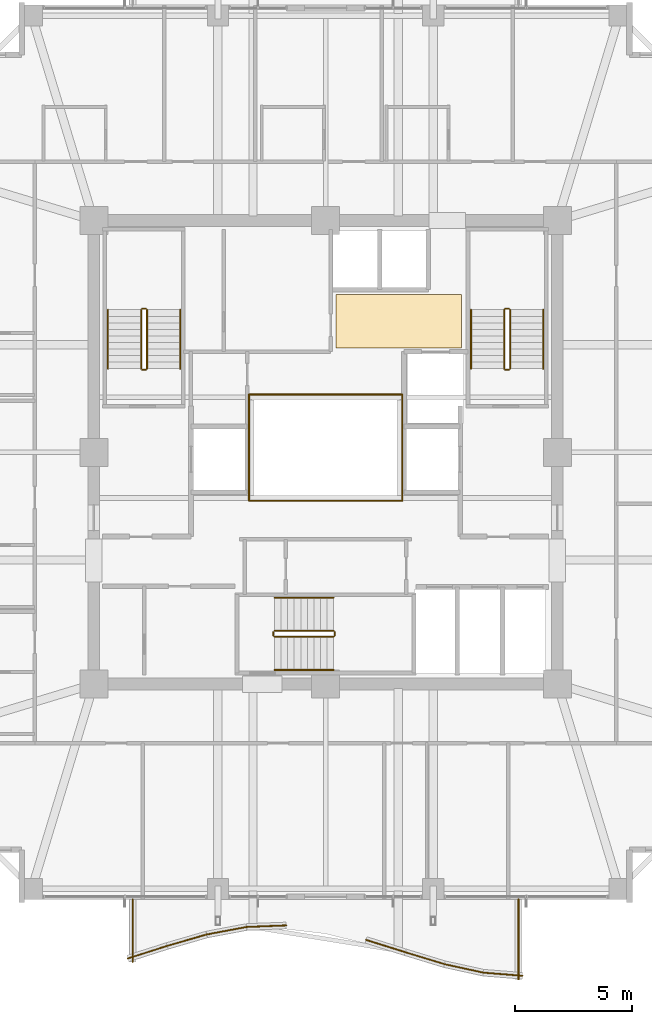
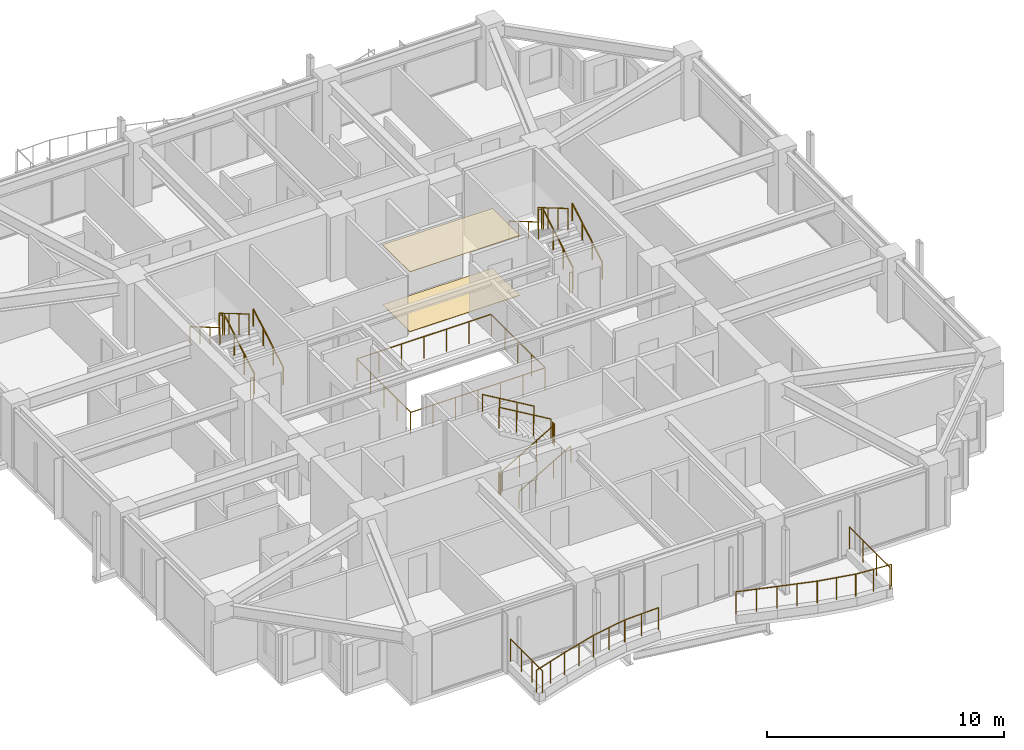
# One storey, part 31 of 32: 32 railings, 2 coverings.
"""IFC4 building model written with IfcOpenShell, lengths in metres."""

from ifc_helpers import new_model, si_unit, direction, frame, origin, origin_2d, place, context, subcontext, project, spatial, polyline, circle, outline, extrude, material, layer, layer_set, type_object, element, save


model = new_model("IFC4")

# Units and contexts
model_context = context("Model", 3, precision=1e-05, world=origin(), true_north=direction((0.0, 1.0)))
body_context = subcontext(model_context, "Body", "Model", "MODEL_VIEW")
ifc_project = project(units=[si_unit("LENGTHUNIT", "METRE"), si_unit("AREAUNIT", "SQUARE_METRE"), si_unit("VOLUMEUNIT", "CUBIC_METRE"), si_unit("PLANEANGLEUNIT", "RADIAN"), si_unit("MASSUNIT", "GRAM", prefix="KILO")], contexts=[model_context])

# Site, building, storey
site_placement = place(None, origin())
site = spatial("IfcSite", under=ifc_project, at=site_placement, CompositionType="ELEMENT")
building_placement = place(site_placement, origin())
building = spatial("IfcBuilding", under=site, at=building_placement, Name="Kolvaren Belvedere", CompositionType="ELEMENT")
storey_placement = place(building_placement, frame((0.0, 0.0, 160.199951171875)))
storey = spatial("IfcBuildingStorey", under=building, at=storey_placement, Name="L46", CompositionType="ELEMENT", Elevation=160.199951171875)

# Coverings
ifc_material_1 = material(Name="Acoustic perforated gypsum board", Category="gypsum")
ifc_layer_1 = layer(ifc_material_1, 0.02490234375)
ifc_layer_set_1 = layer_set([ifc_layer_1], Name="Acoustic perforated gypsum board")
covering_type_1 = type_object("IfcCoveringType", Name="COV-CEIL-GYP", PredefinedType="CEILING", material=ifc_layer_set_1)
covering_1_placement = place(storey_placement, frame((0.0, 0.0, 3.074951171875)))
element("IfcCovering", 1, at=covering_1_placement, inside=storey, type_object=covering_type_1, Name="L46 Lift Lobby Acoustic Baffle Ceiling", PredefinedType="CEILING", context=body_context, shape_type="SweptSolid", body=[
    extrude(outline(polyline([(0.449951171875, 4.449951171875), (5.800048828125, 4.449951171875), (5.800048828125, 6.75), (0.449951171875, 6.75), (0.449951171875, 4.449951171875)])), origin(), (0.0, 0.0, 1.0), 0.025146484375),
])
ifc_material_2 = material(Name="Engineered Pacific white oak", Category="timber")
ifc_layer_2 = layer(ifc_material_2, 0.02001953125)
ifc_layer_set_2 = layer_set([ifc_layer_2], Name="Engineered Pacific white oak")
covering_type_2 = type_object("IfcCoveringType", Name="COV-FLR-OAK", PredefinedType="FLOORING", material=ifc_layer_set_2)
covering_2_placement = place(storey_placement, origin())
element("IfcCovering", 2, at=covering_2_placement, inside=storey, type_object=covering_type_2, Name="L46 Lift Lobby Finish Flooring", PredefinedType="FLOORING", context=body_context, shape_type="SweptSolid", body=[
    extrude(outline(polyline([(0.449951171875, 4.449951171875), (5.800048828125, 4.449951171875), (5.800048828125, 6.75), (0.449951171875, 6.75), (0.449951171875, 4.449951171875)])), origin(), (0.0, 0.0, 1.0), 0.02001953125),
])

# Railings
ifc_material_3 = material(Name="Laminated glass & stainless-steel cap rail", Category="steel")
railing_type_1 = type_object("IfcRailingType", Name="RL-ATR-1150", PredefinedType="BALUSTRADE", material=ifc_material_3)
for number, where, name in (
    (3, (-3.27001953125, 2.469970703125, 0.0), "L46 Atrium North Glass Balustrade"),
    (4, (-3.27001953125, -2.070068359375, 0.0), "L46 Atrium South Glass Balustrade"),
):
    element("IfcRailing", number, at=place(storey_placement, frame(where)), inside=storey, type_object=railing_type_1, Name=name, PredefinedType="BALUSTRADE", context=body_context, shape_type="SweptSolid", body=[
        extrude(circle(Radius=0.02392578125, at=origin_2d()), frame((0.0, 0.0, 1.1259765625), z_axis=(1.0, 0.0, 0.0), x_axis=(0.0, 1.0, 0.0)), (0.0, 0.0, 1.0), 6.5400390625),
        extrude(circle(Radius=0.02099609375, at=origin_2d()), origin(), (0.0, 0.0, 1.0), 1.101806640625),
        extrude(circle(Radius=0.02099609375, at=origin_2d()), frame((1.090087890625, 0.0, 0.0)), (0.0, 0.0, 1.0), 1.101806640625),
        extrude(circle(Radius=0.02099609375, at=origin_2d()), frame((2.179931640625, 0.0, 0.0)), (0.0, 0.0, 1.0), 1.101806640625),
        extrude(circle(Radius=0.02099609375, at=origin_2d()), frame((3.27001953125, 0.0, 0.0)), (0.0, 0.0, 1.0), 1.101806640625),
        extrude(circle(Radius=0.02099609375, at=origin_2d()), frame((4.360107421875, 0.0, 0.0)), (0.0, 0.0, 1.0), 1.101806640625),
        extrude(circle(Radius=0.02099609375, at=origin_2d()), frame((5.449951171875, 0.0, 0.0)), (0.0, 0.0, 1.0), 1.101806640625),
        extrude(circle(Radius=0.02099609375, at=origin_2d()), frame((6.5400390625, 0.0, 0.0)), (0.0, 0.0, 1.0), 1.101806640625),
    ])
for number, where, name in (
    (5, (-3.27001953125, -2.070068359375, 0.0), "L46 Atrium West Glass Balustrade"),
    (6, (3.27001953125, -2.070068359375, 0.0), "L46 Atrium East Glass Balustrade"),
):
    element("IfcRailing", number, at=place(storey_placement, frame(where)), inside=storey, type_object=railing_type_1, Name=name, PredefinedType="BALUSTRADE", context=body_context, shape_type="SweptSolid", body=[
        extrude(circle(Radius=0.02392578125, at=origin_2d()), frame((0.0, 0.0, 1.1259765625), z_axis=(0.0, 1.0, 0.0), x_axis=(-1.0, 0.0, 0.0)), (0.0, 0.0, 1.0), 4.5400390625),
        extrude(circle(Radius=0.02099609375, at=origin_2d()), origin(), (0.0, 0.0, 1.0), 1.101806640625),
        extrude(circle(Radius=0.02099609375, at=origin_2d()), frame((0.0, 1.135009765625, 0.0)), (0.0, 0.0, 1.0), 1.101806640625),
        extrude(circle(Radius=0.02099609375, at=origin_2d()), frame((0.0, 2.27001953125, 0.0)), (0.0, 0.0, 1.0), 1.101806640625),
        extrude(circle(Radius=0.02099609375, at=origin_2d()), frame((0.0, 3.405029296875, 0.0)), (0.0, 0.0, 1.0), 1.101806640625),
        extrude(circle(Radius=0.02099609375, at=origin_2d()), frame((0.0, 4.5400390625, 0.0)), (0.0, 0.0, 1.0), 1.101806640625),
    ])
ifc_material_4 = material(Name="Anodised pale-metal aluminium & laminated glass guard", Category="aluminium")
railing_type_2 = type_object("IfcRailingType", Name="RL-GUARD-1150", PredefinedType="GUARDRAIL", material=ifc_material_4)
railing_1_placement = place(storey_placement, frame((-8.448486328125, -21.621337890625, 0.400146484375)))
element("IfcRailing", 7, at=railing_1_placement, inside=storey, type_object=railing_type_2, Name="L46 Exterior Deck Safety Guard BAL-S-1", PredefinedType="GUARDRAIL", context=body_context, shape_type="SweptSolid", body=[
    extrude(circle(Radius=0.02392578125, at=origin_2d()), frame((0.0, 0.0, 1.1259765625), z_axis=(0.952661770826, 0.304032153573, 0.0), x_axis=(-0.304032153573, 0.952661770826, 0.0)), (0.0, 0.0, 1.0), 1.763427734375),
    extrude(circle(Radius=0.02099609375, at=origin_2d()), origin(), (0.0, 0.0, 1.0), 1.101806640625),
    extrude(circle(Radius=0.02099609375, at=origin_2d()), frame((0.83984375, 0.26806640625, 0.0)), (0.0, 0.0, 1.0), 1.101806640625),
    extrude(circle(Radius=0.02099609375, at=origin_2d()), frame((1.679931640625, 0.5361328125, 0.0)), (0.0, 0.0, 1.0), 1.101806640625),
])
railing_2_placement = place(storey_placement, frame((-6.764404296875, -21.083984375, 0.400146484375)))
element("IfcRailing", 8, at=railing_2_placement, inside=storey, type_object=railing_type_2, Name="L46 Exterior Deck Safety Guard BAL-S-2", PredefinedType="GUARDRAIL", context=body_context, shape_type="SweptSolid", body=[
    extrude(circle(Radius=0.02392578125, at=origin_2d()), frame((0.0, 0.0, 1.1259765625), z_axis=(0.96059663827, 0.277946215201, 0.0), x_axis=(-0.277946215201, 0.96059663827, 0.0)), (0.0, 0.0, 1.0), 1.748779296875),
    extrude(circle(Radius=0.02099609375, at=origin_2d()), origin(), (0.0, 0.0, 1.0), 1.101806640625),
    extrude(circle(Radius=0.02099609375, at=origin_2d()), frame((0.83984375, 0.2431640625, 0.0)), (0.0, 0.0, 1.0), 1.101806640625),
    extrude(circle(Radius=0.02099609375, at=origin_2d()), frame((1.679931640625, 0.486083984375, 0.0)), (0.0, 0.0, 1.0), 1.101806640625),
])
railing_3_placement = place(storey_placement, frame((-5.069580078125, -20.594482421875, 0.400146484375)))
element("IfcRailing", 9, at=railing_3_placement, inside=storey, type_object=railing_type_2, Name="L46 Exterior Deck Safety Guard BAL-S-3", PredefinedType="GUARDRAIL", context=body_context, shape_type="SweptSolid", body=[
    extrude(circle(Radius=0.02392578125, at=origin_2d()), frame((0.0, 0.0, 1.1259765625), z_axis=(0.982773416621, 0.184814532932, 0.0), x_axis=(-0.184814532932, 0.982773416621, 0.0)), (0.0, 0.0, 1.0), 1.70947265625),
    extrude(circle(Radius=0.02099609375, at=origin_2d()), origin(), (0.0, 0.0, 1.0), 1.101806640625),
    extrude(circle(Radius=0.02099609375, at=origin_2d()), frame((0.83984375, 0.157958984375, 0.0)), (0.0, 0.0, 1.0), 1.101806640625),
    extrude(circle(Radius=0.02099609375, at=origin_2d()), frame((1.679931640625, 0.31591796875, 0.0)), (0.0, 0.0, 1.0), 1.101806640625),
])
railing_4_placement = place(storey_placement, frame((-3.366455078125, -20.27587890625, 0.400146484375)))
element("IfcRailing", 10, at=railing_4_placement, inside=storey, type_object=railing_type_2, Name="L46 Exterior Deck Safety Guard BAL-S-4", PredefinedType="GUARDRAIL", context=body_context, shape_type="SweptSolid", body=[
    extrude(circle(Radius=0.02392578125, at=origin_2d()), frame((0.0, 0.0, 1.1259765625), z_axis=(0.999196778482, 0.040072407855, 0.0), x_axis=(-0.040072407855, 0.999196778482, 0.0)), (0.0, 0.0, 1.0), 1.681640625),
    extrude(circle(Radius=0.02099609375, at=origin_2d()), origin(), (0.0, 0.0, 1.0), 1.101806640625),
    extrude(circle(Radius=0.02099609375, at=origin_2d()), frame((0.840087890625, 0.03369140625, 0.0)), (0.0, 0.0, 1.0), 1.101806640625),
    extrude(circle(Radius=0.02099609375, at=origin_2d()), frame((1.68017578125, 0.0673828125, 0.0)), (0.0, 0.0, 1.0), 1.101806640625),
])
railing_5_placement = place(storey_placement, frame((1.727783203125, -20.82763671875, 0.400146484375)))
element("IfcRailing", 11, at=railing_5_placement, inside=storey, type_object=railing_type_2, Name="L46 Exterior Deck Safety Guard BAL-S-7", PredefinedType="GUARDRAIL", context=body_context, shape_type="SweptSolid", body=[
    extrude(circle(Radius=0.02392578125, at=origin_2d()), frame((0.0, 0.0, 1.1259765625), z_axis=(0.954069594374, -0.299585061529, 0.0), x_axis=(0.299585061529, 0.954069594374, 0.0)), (0.0, 0.0, 1.0), 1.760986328125),
    extrude(circle(Radius=0.02099609375, at=origin_2d()), origin(), (0.0, 0.0, 1.0), 1.101806640625),
    extrude(circle(Radius=0.02099609375, at=origin_2d()), frame((0.840087890625, -0.263671875, 0.0)), (0.0, 0.0, 1.0), 1.101806640625),
    extrude(circle(Radius=0.02099609375, at=origin_2d()), frame((1.68017578125, -0.527587890625, 0.0)), (0.0, 0.0, 1.0), 1.101806640625),
])
railing_6_placement = place(storey_placement, frame((3.406494140625, -21.354736328125, 0.400146484375)))
element("IfcRailing", 12, at=railing_6_placement, inside=storey, type_object=railing_type_2, Name="L46 Exterior Deck Safety Guard BAL-S-8", PredefinedType="GUARDRAIL", context=body_context, shape_type="SweptSolid", body=[
    extrude(circle(Radius=0.02392578125, at=origin_2d()), frame((0.0, 0.0, 1.1259765625), z_axis=(0.956771481005, -0.290840734999, 0.0), x_axis=(0.290840734999, 0.956771481005, 0.0)), (0.0, 0.0, 1.0), 1.756103515625),
    extrude(circle(Radius=0.02099609375, at=origin_2d()), origin(), (0.0, 0.0, 1.0), 1.101806640625),
    extrude(circle(Radius=0.02099609375, at=origin_2d()), frame((0.840087890625, -0.25537109375, 0.0)), (0.0, 0.0, 1.0), 1.101806640625),
    extrude(circle(Radius=0.02099609375, at=origin_2d()), frame((1.68017578125, -0.5107421875, 0.0)), (0.0, 0.0, 1.0), 1.101806640625),
])
railing_7_placement = place(storey_placement, frame((5.07421875, -21.8623046875, 0.400146484375)))
element("IfcRailing", 13, at=railing_7_placement, inside=storey, type_object=railing_type_2, Name="L46 Exterior Deck Safety Guard BAL-S-9", PredefinedType="GUARDRAIL", context=body_context, shape_type="SweptSolid", body=[
    extrude(circle(Radius=0.02392578125, at=origin_2d()), frame((0.0, 0.0, 1.1259765625), z_axis=(0.976876857632, -0.213802724545, 0.0), x_axis=(0.213802724545, 0.976876857632, 0.0)), (0.0, 0.0, 1.0), 1.7197265625),
    extrude(circle(Radius=0.02099609375, at=origin_2d()), origin(), (0.0, 0.0, 1.0), 1.101806640625),
    extrude(circle(Radius=0.02099609375, at=origin_2d()), frame((0.83984375, -0.183837890625, 0.0)), (0.0, 0.0, 1.0), 1.101806640625),
    extrude(circle(Radius=0.02099609375, at=origin_2d()), frame((1.679931640625, -0.36767578125, 0.0)), (0.0, 0.0, 1.0), 1.101806640625),
])
railing_8_placement = place(storey_placement, frame((6.732666015625, -22.226806640625, 0.400146484375)))
element("IfcRailing", 14, at=railing_8_placement, inside=storey, type_object=railing_type_2, Name="L46 Exterior Deck Safety Guard BAL-S-10", PredefinedType="GUARDRAIL", context=body_context, shape_type="SweptSolid", body=[
    extrude(circle(Radius=0.02392578125, at=origin_2d()), frame((0.0, 0.0, 1.1259765625), z_axis=(0.996843773847, -0.079388226721, 0.0), x_axis=(0.079388226721, 0.996843773847, 0.0)), (0.0, 0.0, 1.0), 1.685302734375),
    extrude(circle(Radius=0.02099609375, at=origin_2d()), origin(), (0.0, 0.0, 1.0), 1.101806640625),
    extrude(circle(Radius=0.02099609375, at=origin_2d()), frame((0.83984375, -0.06689453125, 0.0)), (0.0, 0.0, 1.0), 1.101806640625),
    extrude(circle(Radius=0.02099609375, at=origin_2d()), frame((1.679931640625, -0.1337890625, 0.0)), (0.0, 0.0, 1.0), 1.101806640625),
])
railing_9_placement = place(storey_placement, frame((8.239990234375, -22.52001953125, 0.400146484375)))
element("IfcRailing", 15, at=railing_9_placement, inside=storey, type_object=railing_type_2, Name="L46 Exterior Deck Safety Guard BAL-S-11", PredefinedType="GUARDRAIL", context=body_context, shape_type="SweptSolid", body=[
    extrude(circle(Radius=0.02392578125, at=origin_2d()), frame((0.0, 0.0, 1.1259765625), z_axis=(0.0, 1.0, 0.0), x_axis=(-1.0, 0.0, 0.0)), (0.0, 0.0, 1.0), 3.419921875),
    extrude(circle(Radius=0.02099609375, at=origin_2d()), origin(), (0.0, 0.0, 1.0), 1.101806640625),
    extrude(circle(Radius=0.02099609375, at=origin_2d()), frame((0.0, 1.139892578125, 0.0)), (0.0, 0.0, 1.0), 1.101806640625),
    extrude(circle(Radius=0.02099609375, at=origin_2d()), frame((0.0, 2.280029296875, 0.0)), (0.0, 0.0, 1.0), 1.101806640625),
    extrude(circle(Radius=0.02099609375, at=origin_2d()), frame((0.0, 3.419921875, 0.0)), (0.0, 0.0, 1.0), 1.101806640625),
])
railing_10_placement = place(storey_placement, frame((-8.239990234375, -19.10009765625, 0.400146484375)))
element("IfcRailing", 16, at=railing_10_placement, inside=storey, type_object=railing_type_2, Name="L46 Exterior Deck Safety Guard BAL-S-22", PredefinedType="GUARDRAIL", context=body_context, shape_type="SweptSolid", body=[
    extrude(circle(Radius=0.02392578125, at=origin_2d()), frame((0.0, 0.0, 1.1259765625), z_axis=(0.0, -1.0, 0.0), x_axis=(1.0, 0.0, 0.0)), (0.0, 0.0, 1.0), 2.673583984375),
    extrude(circle(Radius=0.02099609375, at=origin_2d()), origin(), (0.0, 0.0, 1.0), 1.101806640625),
    extrude(circle(Radius=0.02099609375, at=origin_2d()), frame((0.0, -0.89111328125, 0.0)), (0.0, 0.0, 1.0), 1.101806640625),
    extrude(circle(Radius=0.02099609375, at=origin_2d()), frame((0.0, -1.782470703125, 0.0)), (0.0, 0.0, 1.0), 1.101806640625),
    extrude(circle(Radius=0.02099609375, at=origin_2d()), frame((0.0, -2.673583984375, 0.0)), (0.0, 0.0, 1.0), 1.101806640625),
])
ifc_material_5 = material(Name="Brushed stainless-steel handrail", Category="steel")
railing_type_3 = type_object("IfcRailingType", Name="RL-HANDRAIL-920", PredefinedType="HANDRAIL", material=ifc_material_5)
railing_11_placement = place(storey_placement, frame((-6.2099609375, 3.570068359375, 0.1650390625)))
element("IfcRailing", 17, at=railing_11_placement, inside=storey, type_object=railing_type_3, Name="L46 ST-1 stair handrail 1", PredefinedType="HANDRAIL", context=body_context, shape_type="SweptSolid", body=[
    extrude(circle(Radius=0.02392578125, at=origin_2d()), frame((0.0, 0.0, 0.8759765625), z_axis=(0.0, 0.86152411907, 0.507716645641), x_axis=(-1.0, 0.0, 0.0)), (0.0, 0.0, 1.0), 2.925048828125),
    extrude(circle(Radius=0.02099609375, at=origin_2d()), origin(), (0.0, 0.0, 1.0), 0.851806640625),
    extrude(circle(Radius=0.02099609375, at=origin_2d()), frame((0.0, 0.840087890625, 0.4951171875)), (0.0, 0.0, 1.0), 0.851806640625),
    extrude(circle(Radius=0.02099609375, at=origin_2d()), frame((0.0, 1.679931640625, 0.989990234375)), (0.0, 0.0, 1.0), 0.851806640625),
    extrude(circle(Radius=0.02099609375, at=origin_2d()), frame((0.0, 2.52001953125, 1.485107421875)), (0.0, 0.0, 1.0), 0.851806640625),
])
railing_12_placement = place(storey_placement, frame((-9.300048828125, 6.090087890625, 1.81494140625)))
element("IfcRailing", 18, at=railing_12_placement, inside=storey, type_object=railing_type_3, Name="L46 ST-1 stair handrail 2", PredefinedType="HANDRAIL", context=body_context, shape_type="SweptSolid", body=[
    extrude(circle(Radius=0.02392578125, at=origin_2d()), frame((0.0, 0.0, 0.8759765625), z_axis=(0.0, -0.86152411907, 0.507716645641), x_axis=(1.0, 0.0, 0.0)), (0.0, 0.0, 1.0), 2.925048828125),
    extrude(circle(Radius=0.02099609375, at=origin_2d()), origin(), (0.0, 0.0, 1.0), 0.851806640625),
    extrude(circle(Radius=0.02099609375, at=origin_2d()), frame((0.0, -0.840087890625, 0.4951171875)), (0.0, 0.0, 1.0), 0.851806640625),
    extrude(circle(Radius=0.02099609375, at=origin_2d()), frame((0.0, -1.679931640625, 0.989990234375)), (0.0, 0.0, 1.0), 0.851806640625),
    extrude(circle(Radius=0.02099609375, at=origin_2d()), frame((0.0, -2.52001953125, 1.485107421875)), (0.0, 0.0, 1.0), 0.851806640625),
])
railing_13_placement = place(storey_placement, frame((9.300048828125, 3.570068359375, 0.1650390625)))
element("IfcRailing", 19, at=railing_13_placement, inside=storey, type_object=railing_type_3, Name="L46 ST-2 stair handrail 1", PredefinedType="HANDRAIL", context=body_context, shape_type="SweptSolid", body=[
    extrude(circle(Radius=0.02392578125, at=origin_2d()), frame((0.0, 0.0, 0.8759765625), z_axis=(0.0, 0.86152411907, 0.507716645641), x_axis=(-1.0, 0.0, 0.0)), (0.0, 0.0, 1.0), 2.925048828125),
    extrude(circle(Radius=0.02099609375, at=origin_2d()), origin(), (0.0, 0.0, 1.0), 0.851806640625),
    extrude(circle(Radius=0.02099609375, at=origin_2d()), frame((0.0, 0.840087890625, 0.4951171875)), (0.0, 0.0, 1.0), 0.851806640625),
    extrude(circle(Radius=0.02099609375, at=origin_2d()), frame((0.0, 1.679931640625, 0.989990234375)), (0.0, 0.0, 1.0), 0.851806640625),
    extrude(circle(Radius=0.02099609375, at=origin_2d()), frame((0.0, 2.52001953125, 1.485107421875)), (0.0, 0.0, 1.0), 0.851806640625),
])
railing_14_placement = place(storey_placement, frame((6.2099609375, 6.090087890625, 1.81494140625)))
element("IfcRailing", 20, at=railing_14_placement, inside=storey, type_object=railing_type_3, Name="L46 ST-2 stair handrail 2", PredefinedType="HANDRAIL", context=body_context, shape_type="SweptSolid", body=[
    extrude(circle(Radius=0.02392578125, at=origin_2d()), frame((0.0, 0.0, 0.8759765625), z_axis=(0.0, -0.86152411907, 0.507716645641), x_axis=(1.0, 0.0, 0.0)), (0.0, 0.0, 1.0), 2.925048828125),
    extrude(circle(Radius=0.02099609375, at=origin_2d()), origin(), (0.0, 0.0, 1.0), 0.851806640625),
    extrude(circle(Radius=0.02099609375, at=origin_2d()), frame((0.0, -0.840087890625, 0.4951171875)), (0.0, 0.0, 1.0), 0.851806640625),
    extrude(circle(Radius=0.02099609375, at=origin_2d()), frame((0.0, -1.679931640625, 0.989990234375)), (0.0, 0.0, 1.0), 0.851806640625),
    extrude(circle(Radius=0.02099609375, at=origin_2d()), frame((0.0, -2.52001953125, 1.485107421875)), (0.0, 0.0, 1.0), 0.851806640625),
])
railing_15_placement = place(storey_placement, frame((-2.179931640625, -9.300048828125, 0.1650390625)))
element("IfcRailing", 21, at=railing_15_placement, inside=storey, type_object=railing_type_3, Name="L46 ST-3 stair handrail 1", PredefinedType="HANDRAIL", context=body_context, shape_type="SweptSolid", body=[
    extrude(circle(Radius=0.02392578125, at=origin_2d()), frame((0.0, 0.0, 0.8759765625), z_axis=(0.86152411907, 0.0, 0.507716645641), x_axis=(0.0, 1.0, 0.0)), (0.0, 0.0, 1.0), 2.925048828125),
    extrude(circle(Radius=0.02099609375, at=origin_2d()), origin(), (0.0, 0.0, 1.0), 0.851806640625),
    extrude(circle(Radius=0.02099609375, at=origin_2d()), frame((0.840087890625, 0.0, 0.4951171875)), (0.0, 0.0, 1.0), 0.851806640625),
    extrude(circle(Radius=0.02099609375, at=origin_2d()), frame((1.679931640625, 0.0, 0.989990234375)), (0.0, 0.0, 1.0), 0.851806640625),
    extrude(circle(Radius=0.02099609375, at=origin_2d()), frame((2.52001953125, 0.0, 1.485107421875)), (0.0, 0.0, 1.0), 0.851806640625),
])
railing_16_placement = place(storey_placement, frame((0.340087890625, -6.2099609375, 1.81494140625)))
element("IfcRailing", 22, at=railing_16_placement, inside=storey, type_object=railing_type_3, Name="L46 ST-3 stair handrail 2", PredefinedType="HANDRAIL", context=body_context, shape_type="SweptSolid", body=[
    extrude(circle(Radius=0.02392578125, at=origin_2d()), frame((0.0, 0.0, 0.8759765625), z_axis=(-0.86152411907, 0.0, 0.507716645641), x_axis=(0.0, -1.0, 0.0)), (0.0, 0.0, 1.0), 2.925048828125),
    extrude(circle(Radius=0.02099609375, at=origin_2d()), origin(), (0.0, 0.0, 1.0), 0.851806640625),
    extrude(circle(Radius=0.02099609375, at=origin_2d()), frame((-0.840087890625, 0.0, 0.4951171875)), (0.0, 0.0, 1.0), 0.851806640625),
    extrude(circle(Radius=0.02099609375, at=origin_2d()), frame((-1.679931640625, 0.0, 0.989990234375)), (0.0, 0.0, 1.0), 0.851806640625),
    extrude(circle(Radius=0.02099609375, at=origin_2d()), frame((-2.52001953125, 0.0, 1.485107421875)), (0.0, 0.0, 1.0), 0.851806640625),
])
ifc_material_6 = material(Name="Painted tubular steel stair guard", Category="steel")
railing_type_4 = type_object("IfcRailingType", Name="RL-STGUARD-1100", PredefinedType="GUARDRAIL", material=ifc_material_6)
railing_17_placement = place(storey_placement, frame((-7.6298828125, 3.570068359375, 0.1650390625)))
element("IfcRailing", 23, at=railing_17_placement, inside=storey, type_object=railing_type_4, Name="L46 ST-1 stair guard 1", PredefinedType="GUARDRAIL", context=body_context, shape_type="SweptSolid", body=[
    extrude(circle(Radius=0.02392578125, at=origin_2d()), frame((0.0, 0.0, 1.076171875), z_axis=(0.0, 0.86152411907, 0.507716645641), x_axis=(-1.0, 0.0, 0.0)), (0.0, 0.0, 1.0), 2.925048828125),
    extrude(circle(Radius=0.02099609375, at=origin_2d()), origin(), (0.0, 0.0, 1.0), 1.052001953125),
    extrude(circle(Radius=0.02099609375, at=origin_2d()), frame((0.0, 0.840087890625, 0.4951171875)), (0.0, 0.0, 1.0), 1.052001953125),
    extrude(circle(Radius=0.02099609375, at=origin_2d()), frame((0.0, 1.679931640625, 0.989990234375)), (0.0, 0.0, 1.0), 1.052001953125),
    extrude(circle(Radius=0.02099609375, at=origin_2d()), frame((0.0, 2.52001953125, 1.485107421875)), (0.0, 0.0, 1.0), 1.052001953125),
])
railing_18_placement = place(storey_placement, frame((-7.679931640625, 6.139892578125, 1.650146484375)))
element("IfcRailing", 24, at=railing_18_placement, inside=storey, type_object=railing_type_4, Name="L46 ST-1 stair guard 2", PredefinedType="GUARDRAIL", context=body_context, shape_type="SweptSolid", body=[
    extrude(circle(Radius=0.02392578125, at=origin_2d()), frame((0.0, 0.0, 1.076171875), z_axis=(-1.0, 0.0, 0.0), x_axis=(0.0, -1.0, 0.0)), (0.0, 0.0, 1.0), 0.150146484375),
    extrude(circle(Radius=0.02099609375, at=origin_2d()), origin(), (0.0, 0.0, 1.0), 1.052001953125),
    extrude(circle(Radius=0.02099609375, at=origin_2d()), frame((-0.150146484375, 0.0, 0.0)), (0.0, 0.0, 1.0), 1.052001953125),
])
railing_19_placement = place(storey_placement, frame((-7.8798828125, 6.090087890625, 1.81494140625)))
element("IfcRailing", 25, at=railing_19_placement, inside=storey, type_object=railing_type_4, Name="L46 ST-1 stair guard 3", PredefinedType="GUARDRAIL", context=body_context, shape_type="SweptSolid", body=[
    extrude(circle(Radius=0.02392578125, at=origin_2d()), frame((0.0, 0.0, 1.076171875), z_axis=(0.0, -0.86152411907, 0.507716645641), x_axis=(1.0, 0.0, 0.0)), (0.0, 0.0, 1.0), 2.925048828125),
    extrude(circle(Radius=0.02099609375, at=origin_2d()), origin(), (0.0, 0.0, 1.0), 1.052001953125),
    extrude(circle(Radius=0.02099609375, at=origin_2d()), frame((0.0, -0.840087890625, 0.4951171875)), (0.0, 0.0, 1.0), 1.052001953125),
    extrude(circle(Radius=0.02099609375, at=origin_2d()), frame((0.0, -1.679931640625, 0.989990234375)), (0.0, 0.0, 1.0), 1.052001953125),
    extrude(circle(Radius=0.02099609375, at=origin_2d()), frame((0.0, -2.52001953125, 1.485107421875)), (0.0, 0.0, 1.0), 1.052001953125),
])
railing_20_placement = place(storey_placement, frame((-7.679931640625, 3.52001953125, 0.0)))
element("IfcRailing", 26, at=railing_20_placement, inside=storey, type_object=railing_type_4, Name="L46 ST-1 stair guard 4", PredefinedType="GUARDRAIL", context=body_context, shape_type="SweptSolid", body=[
    extrude(circle(Radius=0.02392578125, at=origin_2d()), frame((0.0, 0.0, 1.076171875), z_axis=(-1.0, 0.0, 0.0), x_axis=(0.0, -1.0, 0.0)), (0.0, 0.0, 1.0), 0.150146484375),
    extrude(circle(Radius=0.02099609375, at=origin_2d()), origin(), (0.0, 0.0, 1.0), 1.052001953125),
    extrude(circle(Radius=0.02099609375, at=origin_2d()), frame((-0.150146484375, 0.0, 0.0)), (0.0, 0.0, 1.0), 1.052001953125),
])
railing_21_placement = place(storey_placement, frame((7.8798828125, 3.570068359375, 0.1650390625)))
element("IfcRailing", 27, at=railing_21_placement, inside=storey, type_object=railing_type_4, Name="L46 ST-2 stair guard 1", PredefinedType="GUARDRAIL", context=body_context, shape_type="SweptSolid", body=[
    extrude(circle(Radius=0.02392578125, at=origin_2d()), frame((0.0, 0.0, 1.076171875), z_axis=(0.0, 0.86152411907, 0.507716645641), x_axis=(-1.0, 0.0, 0.0)), (0.0, 0.0, 1.0), 2.925048828125),
    extrude(circle(Radius=0.02099609375, at=origin_2d()), origin(), (0.0, 0.0, 1.0), 1.052001953125),
    extrude(circle(Radius=0.02099609375, at=origin_2d()), frame((0.0, 0.840087890625, 0.4951171875)), (0.0, 0.0, 1.0), 1.052001953125),
    extrude(circle(Radius=0.02099609375, at=origin_2d()), frame((0.0, 1.679931640625, 0.989990234375)), (0.0, 0.0, 1.0), 1.052001953125),
    extrude(circle(Radius=0.02099609375, at=origin_2d()), frame((0.0, 2.52001953125, 1.485107421875)), (0.0, 0.0, 1.0), 1.052001953125),
])
railing_22_placement = place(storey_placement, frame((7.830078125, 6.139892578125, 1.650146484375)))
element("IfcRailing", 28, at=railing_22_placement, inside=storey, type_object=railing_type_4, Name="L46 ST-2 stair guard 2", PredefinedType="GUARDRAIL", context=body_context, shape_type="SweptSolid", body=[
    extrude(circle(Radius=0.02392578125, at=origin_2d()), frame((0.0, 0.0, 1.076171875), z_axis=(-1.0, 0.0, 0.0), x_axis=(0.0, -1.0, 0.0)), (0.0, 0.0, 1.0), 0.150146484375),
    extrude(circle(Radius=0.02099609375, at=origin_2d()), origin(), (0.0, 0.0, 1.0), 1.052001953125),
    extrude(circle(Radius=0.02099609375, at=origin_2d()), frame((-0.150146484375, 0.0, 0.0)), (0.0, 0.0, 1.0), 1.052001953125),
])
railing_23_placement = place(storey_placement, frame((7.6298828125, 6.090087890625, 1.81494140625)))
element("IfcRailing", 29, at=railing_23_placement, inside=storey, type_object=railing_type_4, Name="L46 ST-2 stair guard 3", PredefinedType="GUARDRAIL", context=body_context, shape_type="SweptSolid", body=[
    extrude(circle(Radius=0.02392578125, at=origin_2d()), frame((0.0, 0.0, 1.076171875), z_axis=(0.0, -0.86152411907, 0.507716645641), x_axis=(1.0, 0.0, 0.0)), (0.0, 0.0, 1.0), 2.925048828125),
    extrude(circle(Radius=0.02099609375, at=origin_2d()), origin(), (0.0, 0.0, 1.0), 1.052001953125),
    extrude(circle(Radius=0.02099609375, at=origin_2d()), frame((0.0, -0.840087890625, 0.4951171875)), (0.0, 0.0, 1.0), 1.052001953125),
    extrude(circle(Radius=0.02099609375, at=origin_2d()), frame((0.0, -1.679931640625, 0.989990234375)), (0.0, 0.0, 1.0), 1.052001953125),
    extrude(circle(Radius=0.02099609375, at=origin_2d()), frame((0.0, -2.52001953125, 1.485107421875)), (0.0, 0.0, 1.0), 1.052001953125),
])
railing_24_placement = place(storey_placement, frame((7.830078125, 3.52001953125, 0.0)))
element("IfcRailing", 30, at=railing_24_placement, inside=storey, type_object=railing_type_4, Name="L46 ST-2 stair guard 4", PredefinedType="GUARDRAIL", context=body_context, shape_type="SweptSolid", body=[
    extrude(circle(Radius=0.02392578125, at=origin_2d()), frame((0.0, 0.0, 1.076171875), z_axis=(-1.0, 0.0, 0.0), x_axis=(0.0, -1.0, 0.0)), (0.0, 0.0, 1.0), 0.150146484375),
    extrude(circle(Radius=0.02099609375, at=origin_2d()), origin(), (0.0, 0.0, 1.0), 1.052001953125),
    extrude(circle(Radius=0.02099609375, at=origin_2d()), frame((-0.150146484375, 0.0, 0.0)), (0.0, 0.0, 1.0), 1.052001953125),
])
railing_25_placement = place(storey_placement, frame((-2.179931640625, -7.8798828125, 0.1650390625)))
element("IfcRailing", 31, at=railing_25_placement, inside=storey, type_object=railing_type_4, Name="L46 ST-3 stair guard 1", PredefinedType="GUARDRAIL", context=body_context, shape_type="SweptSolid", body=[
    extrude(circle(Radius=0.02392578125, at=origin_2d()), frame((0.0, 0.0, 1.076171875), z_axis=(0.86152411907, 0.0, 0.507716645641), x_axis=(0.0, 1.0, 0.0)), (0.0, 0.0, 1.0), 2.925048828125),
    extrude(circle(Radius=0.02099609375, at=origin_2d()), origin(), (0.0, 0.0, 1.0), 1.052001953125),
    extrude(circle(Radius=0.02099609375, at=origin_2d()), frame((0.840087890625, 0.0, 0.4951171875)), (0.0, 0.0, 1.0), 1.052001953125),
    extrude(circle(Radius=0.02099609375, at=origin_2d()), frame((1.679931640625, 0.0, 0.989990234375)), (0.0, 0.0, 1.0), 1.052001953125),
    extrude(circle(Radius=0.02099609375, at=origin_2d()), frame((2.52001953125, 0.0, 1.485107421875)), (0.0, 0.0, 1.0), 1.052001953125),
])
railing_26_placement = place(storey_placement, frame((0.389892578125, -7.830078125, 1.650146484375)))
element("IfcRailing", 32, at=railing_26_placement, inside=storey, type_object=railing_type_4, Name="L46 ST-3 stair guard 2", PredefinedType="GUARDRAIL", context=body_context, shape_type="SweptSolid", body=[
    extrude(circle(Radius=0.02392578125, at=origin_2d()), frame((0.0, 0.0, 1.076171875), z_axis=(0.0, 1.0, 0.0), x_axis=(-1.0, 0.0, 0.0)), (0.0, 0.0, 1.0), 0.150146484375),
    extrude(circle(Radius=0.02099609375, at=origin_2d()), origin(), (0.0, 0.0, 1.0), 1.052001953125),
    extrude(circle(Radius=0.02099609375, at=origin_2d()), frame((0.0, 0.150146484375, 0.0)), (0.0, 0.0, 1.0), 1.052001953125),
])
railing_27_placement = place(storey_placement, frame((0.340087890625, -7.6298828125, 1.81494140625)))
element("IfcRailing", 33, at=railing_27_placement, inside=storey, type_object=railing_type_4, Name="L46 ST-3 stair guard 3", PredefinedType="GUARDRAIL", context=body_context, shape_type="SweptSolid", body=[
    extrude(circle(Radius=0.02392578125, at=origin_2d()), frame((0.0, 0.0, 1.076171875), z_axis=(-0.86152411907, 0.0, 0.507716645641), x_axis=(0.0, -1.0, 0.0)), (0.0, 0.0, 1.0), 2.925048828125),
    extrude(circle(Radius=0.02099609375, at=origin_2d()), origin(), (0.0, 0.0, 1.0), 1.052001953125),
    extrude(circle(Radius=0.02099609375, at=origin_2d()), frame((-0.840087890625, 0.0, 0.4951171875)), (0.0, 0.0, 1.0), 1.052001953125),
    extrude(circle(Radius=0.02099609375, at=origin_2d()), frame((-1.679931640625, 0.0, 0.989990234375)), (0.0, 0.0, 1.0), 1.052001953125),
    extrude(circle(Radius=0.02099609375, at=origin_2d()), frame((-2.52001953125, 0.0, 1.485107421875)), (0.0, 0.0, 1.0), 1.052001953125),
])
railing_28_placement = place(storey_placement, frame((-2.22998046875, -7.830078125, 0.0)))
element("IfcRailing", 34, at=railing_28_placement, inside=storey, type_object=railing_type_4, Name="L46 ST-3 stair guard 4", PredefinedType="GUARDRAIL", context=body_context, shape_type="SweptSolid", body=[
    extrude(circle(Radius=0.02392578125, at=origin_2d()), frame((0.0, 0.0, 1.076171875), z_axis=(0.0, 1.0, 0.0), x_axis=(-1.0, 0.0, 0.0)), (0.0, 0.0, 1.0), 0.150146484375),
    extrude(circle(Radius=0.02099609375, at=origin_2d()), origin(), (0.0, 0.0, 1.0), 1.052001953125),
    extrude(circle(Radius=0.02099609375, at=origin_2d()), frame((0.0, 0.150146484375, 0.0)), (0.0, 0.0, 1.0), 1.052001953125),
])

save(model, "model.ifc")
